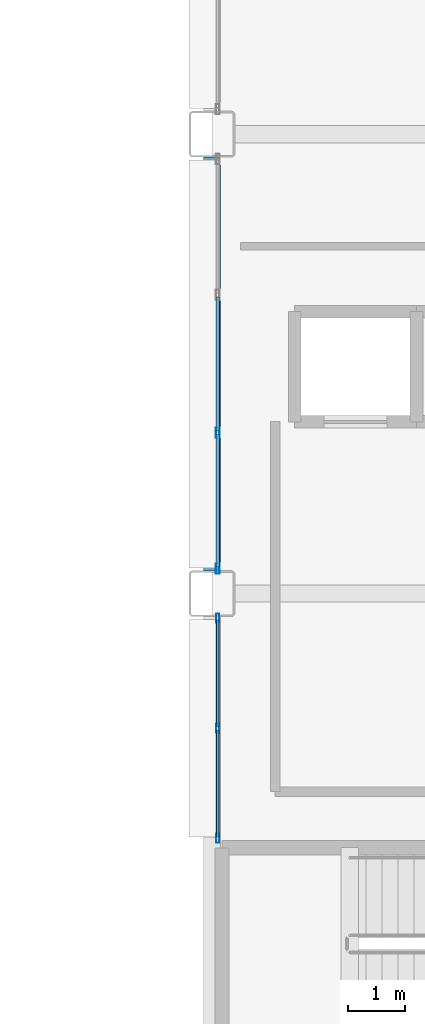
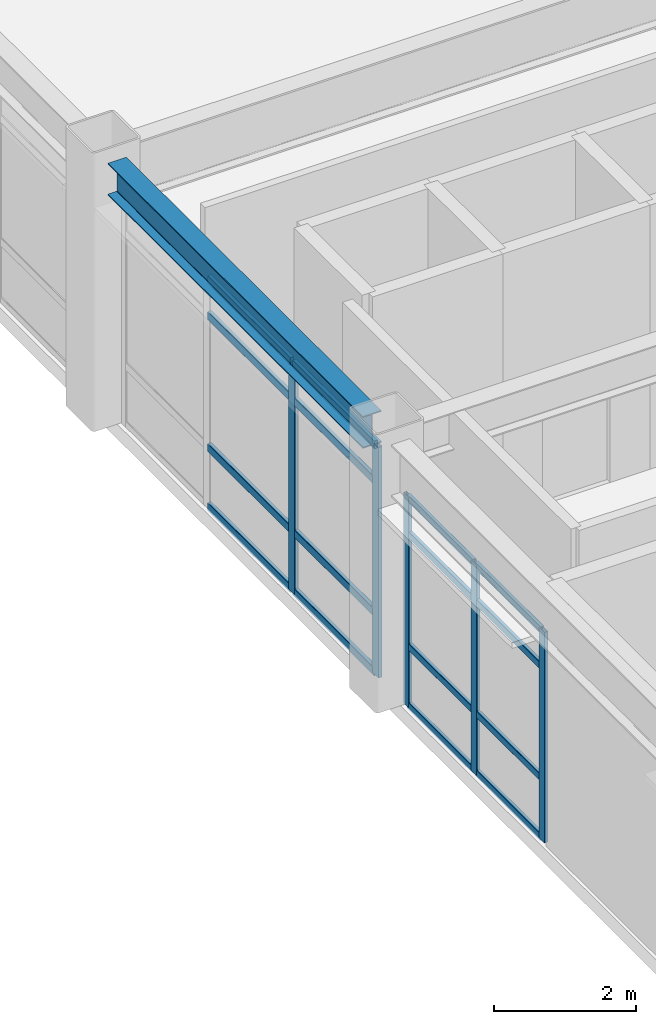
# One storey, part 105 of 172: 21 members, 1 beam, 2 elements without a shape of their own.
"""IFC4 building model written with IfcOpenShell, lengths in metres."""

from ifc_helpers import new_model, si_unit, direction, frame, origin, origin_2d, place, context, subcontext, project, spatial, hollow_rectangle, i_section, extrude, material, layer, layer_set, material_profile, profile_set, type_object, element, aggregate, save


model = new_model("IFC4")

# Units and contexts
model_context = context("Model", 3, precision=1e-05, world=origin(), true_north=direction((0.0, 1.0)))
body_context = subcontext(model_context, "Body", "Model", "MODEL_VIEW")
ifc_project = project(units=[si_unit("LENGTHUNIT", "METRE"), si_unit("AREAUNIT", "SQUARE_METRE"), si_unit("VOLUMEUNIT", "CUBIC_METRE"), si_unit("PLANEANGLEUNIT", "RADIAN"), si_unit("MASSUNIT", "GRAM", prefix="KILO")], contexts=[model_context])

# Site, building, storey
site_placement = place(None, origin())
site = spatial("IfcSite", under=ifc_project, at=site_placement, CompositionType="ELEMENT")
building_placement = place(site_placement, origin())
building = spatial("IfcBuilding", under=site, at=building_placement, Name="Kazehara Bluff Congress Hotel", CompositionType="ELEMENT")
storey_placement = place(building_placement, frame((0.0, 0.0, 5.39990234375)))
storey = spatial("IfcBuildingStorey", under=building, at=storey_placement, Name="L01", CompositionType="ELEMENT", Elevation=5.39990234375)

# Curtain wall, members
ifc_material_1 = material(Name="Anodised aluminium", Category="aluminium")
ifc_layer_1 = layer(ifc_material_1, 0.159912109375)
ifc_layer_set_1 = layer_set([ifc_layer_1], Name="Anodised aluminium")
curtain_wall_type_1 = type_object("IfcCurtainWallType", Name="TP-CW-119", PredefinedType="NOTDEFINED", material=ifc_layer_set_1)
curtain_wall_1_placement = place(storey_placement, origin())
curtain_wall_1 = element("IfcCurtainWall", 1, at=curtain_wall_1_placement, inside=storey, type_object=curtain_wall_type_1, Name="L01 curtain wall CW-119 CW-ENC-V5-L01-14380-5410", PredefinedType="NOTDEFINED")
ifc_material_2 = material(Name="Anodised aluminium", Category="aluminium")
ifc_material_profile_1 = material_profile(ifc_material_2, hollow_rectangle(XDim=0.06005859375, YDim=0.159912109375, WallThickness=0.00390625, InnerFilletRadius=0.00390625, OuterFilletRadius=0.008056640625, at=origin_2d()))
ifc_profile_set_1 = profile_set([ifc_material_profile_1], Name="Anodised aluminium")
member_type_1 = type_object("IfcMemberType", Name="TP-CWM-01", PredefinedType="MULLION", material=ifc_profile_set_1)
member_1_placement = place(storey_placement, frame((143.800048828125, 52.18994140625, 0.0), z_axis=(0.0, 0.0, 1.0), x_axis=(-1.0, 0.0, 0.0)))
member_1 = element("IfcMember", 2, at=member_1_placement, type_object=member_type_1, Name="CW-119 mullion 1", PredefinedType="MULLION", context=body_context, shape_type="SweptSolid", body=[
    extrude(hollow_rectangle(XDim=0.06005859375, YDim=0.159912109375, WallThickness=0.00390625, InnerFilletRadius=0.00390625, OuterFilletRadius=0.008056640625, at=origin_2d()), origin(), (0.0, 0.0, 1.0), 3.625),
])
member_2_placement = place(storey_placement, frame((143.800048828125, 54.10498046875, 0.0), z_axis=(0.0, 0.0, 1.0), x_axis=(-1.0, 0.0, 0.0)))
member_2 = element("IfcMember", 3, at=member_2_placement, type_object=member_type_1, Name="CW-119 mullion 2", PredefinedType="MULLION", context=body_context, shape_type="SweptSolid", body=[
    extrude(hollow_rectangle(XDim=0.06005859375, YDim=0.159912109375, WallThickness=0.00390625, InnerFilletRadius=0.00390625, OuterFilletRadius=0.008056640625, at=origin_2d()), origin(), (0.0, 0.0, 1.0), 3.625),
])
member_3_placement = place(storey_placement, frame((143.800048828125, 56.02001953125, 0.0), z_axis=(0.0, 0.0, 1.0), x_axis=(-1.0, 0.0, 0.0)))
member_3 = element("IfcMember", 4, at=member_3_placement, type_object=member_type_1, Name="CW-119 mullion 3", PredefinedType="MULLION", context=body_context, shape_type="SweptSolid", body=[
    extrude(hollow_rectangle(XDim=0.06005859375, YDim=0.159912109375, WallThickness=0.00390625, InnerFilletRadius=0.00390625, OuterFilletRadius=0.008056640625, at=origin_2d()), origin(), (0.0, 0.0, 1.0), 3.625),
])

ifc_material_3 = material(Name="Anodised aluminium", Category="aluminium")
ifc_layer_2 = layer(ifc_material_3, 0.159912109375)
ifc_layer_set_2 = layer_set([ifc_layer_2], Name="Anodised aluminium")
curtain_wall_type_2 = type_object("IfcCurtainWallType", Name="TP-CW-120", PredefinedType="NOTDEFINED", material=ifc_layer_set_2)
curtain_wall_2_placement = place(storey_placement, origin())
curtain_wall_2 = element("IfcCurtainWall", 5, at=curtain_wall_2_placement, inside=storey, type_object=curtain_wall_type_2, Name="L01 curtain wall CW-120 CW-ENC-V5-L01-14380-6045", PredefinedType="NOTDEFINED")
ifc_material_4 = material(Name="Anodised aluminium", Category="aluminium")
ifc_material_profile_2 = material_profile(ifc_material_4, hollow_rectangle(XDim=0.06494140625, YDim=0.179931640625, WallThickness=0.00390625, InnerFilletRadius=0.00390625, OuterFilletRadius=0.008056640625, at=origin_2d()))
ifc_profile_set_2 = profile_set([ifc_material_profile_2], Name="Anodised aluminium")
member_type_2 = type_object("IfcMemberType", Name="TP-CWM-02", PredefinedType="MULLION", material=ifc_profile_set_2)
member_4_placement = place(storey_placement, frame((143.800048828125, 56.882568359375, 0.0), z_axis=(0.0, 0.0, 1.0), x_axis=(-1.0, 0.0, 0.0)))
member_4 = element("IfcMember", 6, at=member_4_placement, type_object=member_type_2, Name="CW-120 mullion 1", PredefinedType="MULLION", context=body_context, shape_type="SweptSolid", body=[
    extrude(hollow_rectangle(XDim=0.06494140625, YDim=0.179931640625, WallThickness=0.00390625, InnerFilletRadius=0.00390625, OuterFilletRadius=0.008056640625, at=origin_2d()), origin(), (0.0, 0.0, 1.0), 3.97509765625),
])
member_5_placement = place(storey_placement, frame((143.800048828125, 59.25, 0.0), z_axis=(0.0, 0.0, 1.0), x_axis=(-1.0, 0.0, 0.0)))
member_5 = element("IfcMember", 7, at=member_5_placement, type_object=member_type_2, Name="CW-120 mullion 2", PredefinedType="MULLION", context=body_context, shape_type="SweptSolid", body=[
    extrude(hollow_rectangle(XDim=0.06494140625, YDim=0.179931640625, WallThickness=0.00390625, InnerFilletRadius=0.00390625, OuterFilletRadius=0.008056640625, at=origin_2d()), origin(), (0.0, 0.0, 1.0), 3.97509765625),
])

# Member
ifc_material_5 = material(Name="Anodised aluminium", Category="aluminium")
ifc_material_profile_3 = material_profile(ifc_material_5, hollow_rectangle(XDim=0.06005859375, YDim=0.1201171875, WallThickness=0.00390625, InnerFilletRadius=0.00390625, OuterFilletRadius=0.008056640625, at=origin_2d()))
ifc_profile_set_3 = profile_set([ifc_material_profile_3], Name="Anodised aluminium")
member_type_3 = type_object("IfcMemberType", Name="TP-CWT-01", PredefinedType="USERDEFINED", material=ifc_profile_set_3)
member_6_placement = place(storey_placement, frame((143.800048828125, 52.219970703125, 0.030029296875), z_axis=(0.0, 1.0, 0.0), x_axis=(-1.0, 0.0, 0.0)))
member_6 = element("IfcMember", 8, at=member_6_placement, type_object=member_type_3, Name="CW-119 transom 1.1", ObjectType="TRANSOM", PredefinedType="USERDEFINED", context=body_context, shape_type="SweptSolid", body=[
    extrude(hollow_rectangle(XDim=0.06005859375, YDim=0.1201171875, WallThickness=0.00390625, InnerFilletRadius=0.00390625, OuterFilletRadius=0.008056640625, at=origin_2d()), origin(), (0.0, 0.0, 1.0), 1.85498046875),
])

member_7_placement = place(storey_placement, frame((143.800048828125, 52.219970703125, 1.050048828125), z_axis=(0.0, 1.0, 0.0), x_axis=(-1.0, 0.0, 0.0)))
member_7 = element("IfcMember", 9, at=member_7_placement, type_object=member_type_3, Name="CW-119 transom 1.2", ObjectType="TRANSOM", PredefinedType="USERDEFINED", context=body_context, shape_type="SweptSolid", body=[
    extrude(hollow_rectangle(XDim=0.06005859375, YDim=0.1201171875, WallThickness=0.00390625, InnerFilletRadius=0.00390625, OuterFilletRadius=0.008056640625, at=origin_2d()), origin(), (0.0, 0.0, 1.0), 1.85498046875),
])

member_8_placement = place(storey_placement, frame((143.800048828125, 52.219970703125, 2.97509765625), z_axis=(0.0, 1.0, 0.0), x_axis=(-1.0, 0.0, 0.0)))
member_8 = element("IfcMember", 10, at=member_8_placement, type_object=member_type_3, Name="CW-119 transom 1.3", ObjectType="TRANSOM", PredefinedType="USERDEFINED", context=body_context, shape_type="SweptSolid", body=[
    extrude(hollow_rectangle(XDim=0.06005859375, YDim=0.1201171875, WallThickness=0.00390625, InnerFilletRadius=0.00390625, OuterFilletRadius=0.008056640625, at=origin_2d()), origin(), (0.0, 0.0, 1.0), 1.85498046875),
])

member_9_placement = place(storey_placement, frame((143.800048828125, 52.219970703125, 3.59521484375), z_axis=(0.0, 1.0, 0.0), x_axis=(-1.0, 0.0, 0.0)))
member_9 = element("IfcMember", 11, at=member_9_placement, type_object=member_type_3, Name="CW-119 transom 1.4", ObjectType="TRANSOM", PredefinedType="USERDEFINED", context=body_context, shape_type="SweptSolid", body=[
    extrude(hollow_rectangle(XDim=0.06005859375, YDim=0.1201171875, WallThickness=0.00390625, InnerFilletRadius=0.00390625, OuterFilletRadius=0.008056640625, at=origin_2d()), origin(), (0.0, 0.0, 1.0), 1.85498046875),
])

member_10_placement = place(storey_placement, frame((143.800048828125, 54.135009765625, 0.030029296875), z_axis=(0.0, 1.0, 0.0), x_axis=(-1.0, 0.0, 0.0)))
member_10 = element("IfcMember", 12, at=member_10_placement, type_object=member_type_3, Name="CW-119 transom 2.1", ObjectType="TRANSOM", PredefinedType="USERDEFINED", context=body_context, shape_type="SweptSolid", body=[
    extrude(hollow_rectangle(XDim=0.06005859375, YDim=0.1201171875, WallThickness=0.00390625, InnerFilletRadius=0.00390625, OuterFilletRadius=0.008056640625, at=origin_2d()), origin(), (0.0, 0.0, 1.0), 1.85498046875),
])

member_11_placement = place(storey_placement, frame((143.800048828125, 54.135009765625, 1.050048828125), z_axis=(0.0, 1.0, 0.0), x_axis=(-1.0, 0.0, 0.0)))
member_11 = element("IfcMember", 13, at=member_11_placement, type_object=member_type_3, Name="CW-119 transom 2.2", ObjectType="TRANSOM", PredefinedType="USERDEFINED", context=body_context, shape_type="SweptSolid", body=[
    extrude(hollow_rectangle(XDim=0.06005859375, YDim=0.1201171875, WallThickness=0.00390625, InnerFilletRadius=0.00390625, OuterFilletRadius=0.008056640625, at=origin_2d()), origin(), (0.0, 0.0, 1.0), 1.85498046875),
])

member_12_placement = place(storey_placement, frame((143.800048828125, 54.135009765625, 2.97509765625), z_axis=(0.0, 1.0, 0.0), x_axis=(-1.0, 0.0, 0.0)))
member_12 = element("IfcMember", 14, at=member_12_placement, type_object=member_type_3, Name="CW-119 transom 2.3", ObjectType="TRANSOM", PredefinedType="USERDEFINED", context=body_context, shape_type="SweptSolid", body=[
    extrude(hollow_rectangle(XDim=0.06005859375, YDim=0.1201171875, WallThickness=0.00390625, InnerFilletRadius=0.00390625, OuterFilletRadius=0.008056640625, at=origin_2d()), origin(), (0.0, 0.0, 1.0), 1.85498046875),
])

member_13_placement = place(storey_placement, frame((143.800048828125, 54.135009765625, 3.59521484375), z_axis=(0.0, 1.0, 0.0), x_axis=(-1.0, 0.0, 0.0)))
member_13 = element("IfcMember", 15, at=member_13_placement, type_object=member_type_3, Name="CW-119 transom 2.4", ObjectType="TRANSOM", PredefinedType="USERDEFINED", context=body_context, shape_type="SweptSolid", body=[
    extrude(hollow_rectangle(XDim=0.06005859375, YDim=0.1201171875, WallThickness=0.00390625, InnerFilletRadius=0.00390625, OuterFilletRadius=0.008056640625, at=origin_2d()), origin(), (0.0, 0.0, 1.0), 1.85498046875),
])

aggregate(curtain_wall_1, [member_1, member_2, member_3, member_6, member_7, member_8, member_9, member_10, member_11, member_12, member_13])

ifc_material_6 = material(Name="Anodised aluminium", Category="aluminium")
ifc_material_profile_4 = material_profile(ifc_material_6, hollow_rectangle(XDim=0.06494140625, YDim=0.139892578125, WallThickness=0.00390625, InnerFilletRadius=0.00390625, OuterFilletRadius=0.008056640625, at=origin_2d()))
ifc_profile_set_4 = profile_set([ifc_material_profile_4], Name="Anodised aluminium")
member_type_4 = type_object("IfcMemberType", Name="TP-CWT-02", PredefinedType="USERDEFINED", material=ifc_profile_set_4)
member_14_placement = place(storey_placement, frame((143.800048828125, 56.9150390625, 0.03271484375), z_axis=(0.0, 1.0, 0.0), x_axis=(-1.0, 0.0, 0.0)))
member_14 = element("IfcMember", 16, at=member_14_placement, type_object=member_type_4, Name="CW-120 transom 1.1", ObjectType="TRANSOM", PredefinedType="USERDEFINED", context=body_context, shape_type="SweptSolid", body=[
    extrude(hollow_rectangle(XDim=0.06494140625, YDim=0.139892578125, WallThickness=0.00390625, InnerFilletRadius=0.00390625, OuterFilletRadius=0.008056640625, at=origin_2d()), origin(), (0.0, 0.0, 1.0), 2.302490234375),
])

member_15_placement = place(storey_placement, frame((143.800048828125, 56.9150390625, 1.050048828125), z_axis=(0.0, 1.0, 0.0), x_axis=(-1.0, 0.0, 0.0)))
member_15 = element("IfcMember", 17, at=member_15_placement, type_object=member_type_4, Name="CW-120 transom 1.2", ObjectType="TRANSOM", PredefinedType="USERDEFINED", context=body_context, shape_type="SweptSolid", body=[
    extrude(hollow_rectangle(XDim=0.06494140625, YDim=0.139892578125, WallThickness=0.00390625, InnerFilletRadius=0.00390625, OuterFilletRadius=0.008056640625, at=origin_2d()), origin(), (0.0, 0.0, 1.0), 2.302490234375),
])

member_16_placement = place(storey_placement, frame((143.800048828125, 56.9150390625, 3.3251953125), z_axis=(0.0, 1.0, 0.0), x_axis=(-1.0, 0.0, 0.0)))
member_16 = element("IfcMember", 18, at=member_16_placement, type_object=member_type_4, Name="CW-120 transom 1.3", ObjectType="TRANSOM", PredefinedType="USERDEFINED", context=body_context, shape_type="SweptSolid", body=[
    extrude(hollow_rectangle(XDim=0.06494140625, YDim=0.139892578125, WallThickness=0.00390625, InnerFilletRadius=0.00390625, OuterFilletRadius=0.008056640625, at=origin_2d()), origin(), (0.0, 0.0, 1.0), 2.302490234375),
])

member_17_placement = place(storey_placement, frame((143.800048828125, 56.9150390625, 3.942626953125), z_axis=(0.0, 1.0, 0.0), x_axis=(-1.0, 0.0, 0.0)))
member_17 = element("IfcMember", 19, at=member_17_placement, type_object=member_type_4, Name="CW-120 transom 1.4", ObjectType="TRANSOM", PredefinedType="USERDEFINED", context=body_context, shape_type="SweptSolid", body=[
    extrude(hollow_rectangle(XDim=0.06494140625, YDim=0.139892578125, WallThickness=0.00390625, InnerFilletRadius=0.00390625, OuterFilletRadius=0.008056640625, at=origin_2d()), origin(), (0.0, 0.0, 1.0), 2.302490234375),
])

member_18_placement = place(storey_placement, frame((143.800048828125, 59.282470703125, 0.03271484375), z_axis=(0.0, 1.0, 0.0), x_axis=(-1.0, 0.0, 0.0)))
member_18 = element("IfcMember", 20, at=member_18_placement, type_object=member_type_4, Name="CW-120 transom 2.1", ObjectType="TRANSOM", PredefinedType="USERDEFINED", context=body_context, shape_type="SweptSolid", body=[
    extrude(hollow_rectangle(XDim=0.06494140625, YDim=0.139892578125, WallThickness=0.00390625, InnerFilletRadius=0.00390625, OuterFilletRadius=0.008056640625, at=origin_2d()), origin(), (0.0, 0.0, 1.0), 2.3349609375),
])

member_19_placement = place(storey_placement, frame((143.800048828125, 59.282470703125, 1.050048828125), z_axis=(0.0, 1.0, 0.0), x_axis=(-1.0, 0.0, 0.0)))
member_19 = element("IfcMember", 21, at=member_19_placement, type_object=member_type_4, Name="CW-120 transom 2.2", ObjectType="TRANSOM", PredefinedType="USERDEFINED", context=body_context, shape_type="SweptSolid", body=[
    extrude(hollow_rectangle(XDim=0.06494140625, YDim=0.139892578125, WallThickness=0.00390625, InnerFilletRadius=0.00390625, OuterFilletRadius=0.008056640625, at=origin_2d()), origin(), (0.0, 0.0, 1.0), 2.3349609375),
])

member_20_placement = place(storey_placement, frame((143.800048828125, 59.282470703125, 3.3251953125), z_axis=(0.0, 1.0, 0.0), x_axis=(-1.0, 0.0, 0.0)))
member_20 = element("IfcMember", 22, at=member_20_placement, type_object=member_type_4, Name="CW-120 transom 2.3", ObjectType="TRANSOM", PredefinedType="USERDEFINED", context=body_context, shape_type="SweptSolid", body=[
    extrude(hollow_rectangle(XDim=0.06494140625, YDim=0.139892578125, WallThickness=0.00390625, InnerFilletRadius=0.00390625, OuterFilletRadius=0.008056640625, at=origin_2d()), origin(), (0.0, 0.0, 1.0), 2.3349609375),
])

member_21_placement = place(storey_placement, frame((143.800048828125, 59.282470703125, 3.942626953125), z_axis=(0.0, 1.0, 0.0), x_axis=(-1.0, 0.0, 0.0)))
member_21 = element("IfcMember", 23, at=member_21_placement, type_object=member_type_4, Name="CW-120 transom 2.4", ObjectType="TRANSOM", PredefinedType="USERDEFINED", context=body_context, shape_type="SweptSolid", body=[
    extrude(hollow_rectangle(XDim=0.06494140625, YDim=0.139892578125, WallThickness=0.00390625, InnerFilletRadius=0.00390625, OuterFilletRadius=0.008056640625, at=origin_2d()), origin(), (0.0, 0.0, 1.0), 2.3349609375),
])

aggregate(curtain_wall_2, [member_4, member_5, member_14, member_15, member_16, member_17, member_18, member_19, member_20, member_21])

# Beam
ifc_material_7 = material(Name="Steel SN490B", Category="steel")
ifc_material_profile_5 = material_profile(ifc_material_7, i_section(OverallWidth=0.300048828125, OverallDepth=0.550048828125, WebThickness=0.010986328125, FlangeThickness=0.01806640625, FilletRadius=0.012939453125, at=origin_2d()))
ifc_profile_set_5 = profile_set([ifc_material_profile_5], Name="Steel SN490B")
beam_type = type_object("IfcBeamType", Name="TP-SP-01", PredefinedType="SPANDREL", material=ifc_profile_set_5)
beam_placement = place(storey_placement, frame((143.699951171875, 56.85009765625, 4.275146484375), z_axis=(0.0, 1.0, 0.0), x_axis=(-1.0, 0.0, 0.0)))
element("IfcBeam", 24, at=beam_placement, inside=storey, type_object=beam_type, Name="L01 girder SP-01 235", PredefinedType="SPANDREL", context=body_context, shape_type="SweptSolid", body=[
    extrude(i_section(OverallWidth=0.300048828125, OverallDepth=0.550048828125, WebThickness=0.010986328125, FlangeThickness=0.01806640625, FilletRadius=0.012939453125, at=origin_2d()), origin(), (0.0, 0.0, 1.0), 7.199951171875),
])

save(model, "model.ifc")
